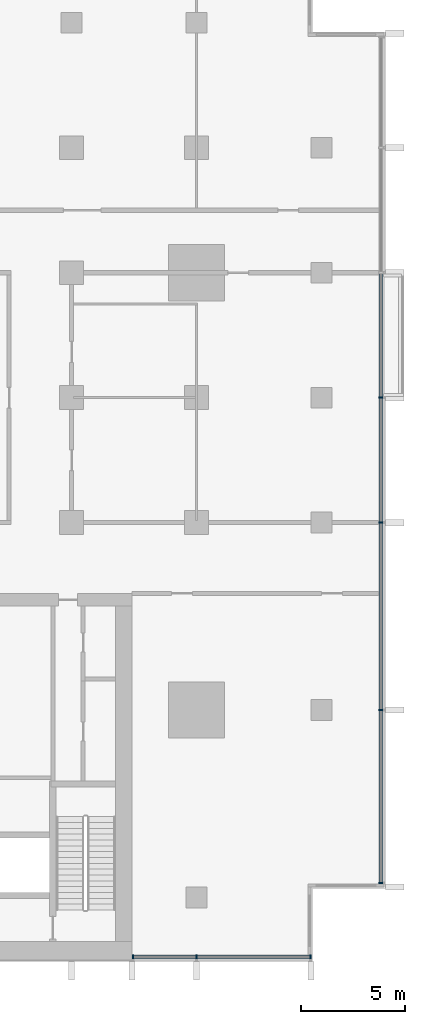
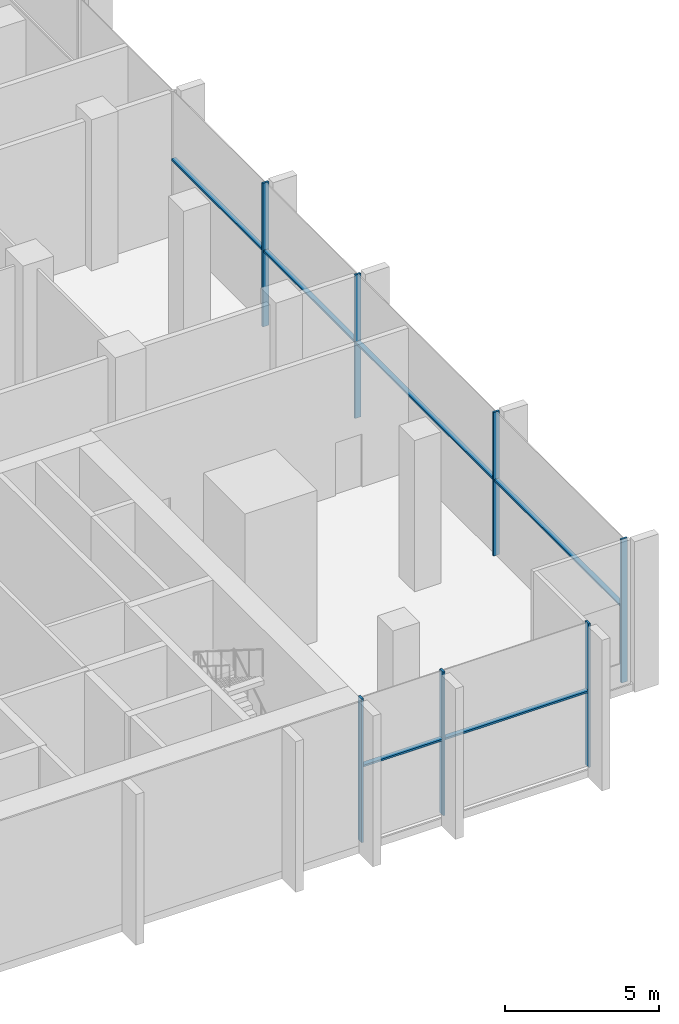
# One storey, part 3 of 16: 13 members, 2 elements without a shape of their own.
"""IFC4 building model written with IfcOpenShell, lengths in metres."""

import ifcopenshell
import ifcopenshell.guid

model = None  # the IFC model being written
_history = None  # IfcOwnerHistory: only IFC2X3 demands one
_inside = {}  # id of a spatial element -> (the spatial element, [elements in it])
_under = {}  # id of a project, library or spatial element -> (it, [spatial elements below it])
_declared = {}  # id of a project -> (the project, [libraries it declares])
_typed = {}  # id of a type object -> (the type object, [elements of that type])
_made_of = {}  # id of a material, layer set ... -> (it, [elements and type objects made of it])


def new_model(schema):
    """Start an empty IFC model of exactly this schema.

    Asked for "IFC4X3", IfcOpenShell would pick the latest addendum, in which some entities
    have other attributes; the version numbers below select the first issue.
    IFC2X3 requires an IfcOwnerHistory on every rooted entity: one is made here for all.
    """
    global model, _history
    if schema == "IFC4X3":
        model = ifcopenshell.file(schema_version=(4, 3, 0, 0))
    else:
        model = ifcopenshell.file(schema=schema)
    _inside.clear()
    _under.clear()
    _declared.clear()
    _typed.clear()
    _made_of.clear()
    _history = None
    if model.schema == "IFC2X3":
        org = make("IfcOrganization", Name="unknown")
        user = make(
            "IfcPersonAndOrganization",
            ThePerson=make("IfcPerson", FamilyName="unknown"),
            TheOrganization=org,
        )
        app = make(
            "IfcApplication",
            ApplicationDeveloper=org,
            Version="unknown",
            ApplicationFullName="unknown",
            ApplicationIdentifier="unknown",
        )
        _history = make(
            "IfcOwnerHistory",
            OwningUser=user,
            OwningApplication=app,
            ChangeAction="ADDED",
            CreationDate=0,
        )
    return model


def make(cls, **values):
    """One entity of the class cls with the attributes given. An attribute that is None is left unset."""
    return model.create_entity(
        cls, **{name: value for name, value in values.items() if value is not None}
    )


def rooted(cls, **values):
    """An entity with a GlobalId (a new one), such as an element, a storey or a relation."""
    return make(cls, GlobalId=ifcopenshell.guid.new(), OwnerHistory=_history, **values)


def si_unit(unit_type, name, prefix=None):
    """IfcSIUnit, for example si_unit("LENGTHUNIT", "METRE", prefix="MILLI")."""
    return make("IfcSIUnit", UnitType=unit_type, Prefix=prefix, Name=name)


def assignment(units):
    """IfcUnitAssignment: the units of a project."""
    return None if units is None else make("IfcUnitAssignment", Units=units)


def point(xyz):
    """IfcCartesianPoint."""
    return None if xyz is None else make("IfcCartesianPoint", Coordinates=xyz)


def direction(xyz):
    """IfcDirection."""
    return None if xyz is None else make("IfcDirection", DirectionRatios=xyz)


def frame(location, z_axis=None, x_axis=None):
    """IfcAxis2Placement3D, a coordinate frame: its origin and axes. An axis left out is left unset."""
    return make(
        "IfcAxis2Placement3D",
        Location=point(location),
        Axis=direction(z_axis),
        RefDirection=direction(x_axis),
    )


def frame_2d(location, x_axis=None):
    """IfcAxis2Placement2D, a coordinate frame in the plane: its origin and x axis."""
    return make(
        "IfcAxis2Placement2D", Location=point(location), RefDirection=direction(x_axis)
    )


def origin():
    """The frame at (0, 0, 0) with its axes left unset."""
    return frame((0.0, 0.0, 0.0))


def origin_2d():
    """The frame at (0, 0) in the plane with its x axis left unset."""
    return frame_2d((0.0, 0.0))


def place(relative_to, where):
    """IfcLocalPlacement: puts the frame where relative to a parent placement (None: the world)."""
    return make(
        "IfcLocalPlacement", PlacementRelTo=relative_to, RelativePlacement=where
    )


def context(
    kind, dimensions, precision=None, world=None, true_north=None, identifier=None
):
    """IfcGeometricRepresentationContext, for example the 3D "Model" context."""
    return make(
        "IfcGeometricRepresentationContext",
        ContextIdentifier=identifier,
        ContextType=kind,
        CoordinateSpaceDimension=dimensions,
        Precision=precision,
        WorldCoordinateSystem=world,
        TrueNorth=true_north,
    )


def subcontext(parent, identifier, kind, view, scale=None):
    """IfcGeometricRepresentationSubContext, for example "Body" below "Model"."""
    return make(
        "IfcGeometricRepresentationSubContext",
        ContextIdentifier=identifier,
        ContextType=kind,
        ParentContext=parent,
        TargetScale=scale,
        TargetView=view,
    )


def project(units=None, contexts=None):
    """IfcProject with its units and contexts."""
    return rooted(
        "IfcProject",
        Name="project",
        RepresentationContexts=contexts,
        UnitsInContext=assignment(units),
    )


def spatial(cls, under=None, at=None, **own):
    """A site, building, storey or space (cls), placed at a placement, below another one or the project."""
    s = rooted(cls, ObjectPlacement=at, **own)
    if under is not None:
        _under.setdefault(under.id(), (under, []))[1].append(s)
    return s


def profile(cls, at=None, kind="AREA", **sizes):
    """A parametric profile (cls). Its sizes go by their IFC names, for example OverallWidth=200.0."""
    return make(cls, ProfileType=kind, Position=at, **sizes)


def rectangle(**sizes):
    """IfcRectangleProfileDef."""
    return profile("IfcRectangleProfileDef", **sizes)


def extrude(swept, where, along, depth):
    """IfcExtrudedAreaSolid: the profile swept, set in the frame where, extruded along a direction by depth."""
    return make(
        "IfcExtrudedAreaSolid",
        SweptArea=swept,
        Position=where,
        ExtrudedDirection=direction(along),
        Depth=depth,
    )


def shape(context_of_items, identifier, shape_type, items):
    """IfcShapeRepresentation: the items that make up one representation, for example the "Body"."""
    return make(
        "IfcShapeRepresentation",
        ContextOfItems=context_of_items,
        RepresentationIdentifier=identifier,
        RepresentationType=shape_type,
        Items=items,
    )


def material(Name=None, Category=None):
    """IfcMaterial."""
    return make("IfcMaterial", Name=Name, Category=Category)


def material_profile(
    of_material, cross_section, Name=None, Category=None, Priority=None
):
    """IfcMaterialProfile: a cross section and its material."""
    return make(
        "IfcMaterialProfile",
        Name=Name,
        Material=of_material,
        Profile=cross_section,
        Priority=Priority,
        Category=Category,
    )


def profile_set(profiles, Name=None, composite=None):
    """IfcMaterialProfileSet."""
    return make(
        "IfcMaterialProfileSet",
        Name=Name,
        MaterialProfiles=profiles,
        CompositeProfile=composite,
    )


def made_of(thing, what):
    """Note that an element or type object is made of a material, layer set ...; save() writes the relation."""
    if what is not None:
        _made_of.setdefault(what.id(), (what, []))[1].append(thing)
    return thing


def type_object(cls, material=None, **own):
    """A type object (cls), such as IfcWallType, which elements share."""
    return made_of(rooted(cls, **own), material)


def element(
    cls,
    number,
    at=None,
    inside=None,
    cuts=None,
    type_object=None,
    material=None,
    context=None,
    identifier="Body",
    shape_type=None,
    held_by="IfcProductDefinitionShape",
    body=None,
    shapes=None,
    **own,
):
    """One element of the class cls, such as IfcWall. Its Tag is "e" and its number.

    at: its placement. inside: the storey or other place that contains it. cuts: it is an
    opening in that element (IfcRelVoidsElement). A single representation is given by context,
    identifier, shape_type and body (its items); several are given by shapes. held_by: the class
    of the entity that holds the representations. save() writes the other relations.
    """
    e = rooted(cls, Tag="e%d" % number, ObjectPlacement=at, **own)
    if body is not None:
        shapes = [shape(context, identifier, shape_type, body)]
    if shapes is not None:
        e.Representation = make(held_by, Representations=shapes)
    if inside is not None:
        _inside.setdefault(inside.id(), (inside, []))[1].append(e)
    if cuts is not None:
        rooted(
            "IfcRelVoidsElement", RelatingBuildingElement=cuts, RelatedOpeningElement=e
        )
    if type_object is not None:
        _typed.setdefault(type_object.id(), (type_object, []))[1].append(e)
    return made_of(e, material)


def aggregate(whole, parts):
    """IfcRelAggregates: a whole, such as a stair, and the parts it consists of."""
    return rooted("IfcRelAggregates", RelatingObject=whole, RelatedObjects=parts)


def save(model, path):
    """Write the relations noted so far, then the file.

    IfcRelAggregates (storeys below a building ...), IfcRelContainedInSpatialStructure (elements
    in a storey), IfcRelDefinesByType, IfcRelAssociatesMaterial and IfcRelDeclares: one each for
    every whole, place, type object, material and project.
    """
    for whole, parts in _under.values():
        aggregate(whole, parts)
    for where, things in _inside.values():
        rooted(
            "IfcRelContainedInSpatialStructure",
            RelatedElements=things,
            RelatingStructure=where,
        )
    for kind, things in _typed.values():
        rooted("IfcRelDefinesByType", RelatedObjects=things, RelatingType=kind)
    for what, things in _made_of.values():
        rooted("IfcRelAssociatesMaterial", RelatedObjects=things, RelatingMaterial=what)
    for by, libraries in _declared.values():
        rooted("IfcRelDeclares", RelatingContext=by, RelatedDefinitions=libraries)
    model.write(path)


model = new_model("IFC4")

# Units and contexts
model_context = context("Model", 3, precision=1e-05, world=origin(), true_north=direction((0.0, 1.0)))
body_context = subcontext(model_context, "Body", "Model", "MODEL_VIEW")
ifc_project = project(units=[si_unit("LENGTHUNIT", "METRE"), si_unit("AREAUNIT", "SQUARE_METRE"), si_unit("VOLUMEUNIT", "CUBIC_METRE"), si_unit("PLANEANGLEUNIT", "RADIAN"), si_unit("MASSUNIT", "GRAM", prefix="KILO")], contexts=[model_context])

# Site, building, storey
site_placement = place(None, origin())
site = spatial("IfcSite", under=ifc_project, at=site_placement, CompositionType="ELEMENT")
building_placement = place(site_placement, origin())
building = spatial("IfcBuilding", under=site, at=building_placement, Name="Finial Court Residences", CompositionType="ELEMENT")
storey_placement = place(building_placement, frame((0.0, 0.0, 127.89990234375)))
storey = spatial("IfcBuildingStorey", under=building, at=storey_placement, Name="L32", CompositionType="ELEMENT", Elevation=127.89990234375)

# Curtain wall, members
ifc_material = material(Name="Bronze anodised aluminium", Category="aluminium")
curtain_wall_type = type_object("IfcCurtainWallType", Name="Sky amenity glazing", PredefinedType="NOTDEFINED", material=ifc_material)
curtain_wall_1_placement = place(storey_placement, origin())
curtain_wall_1 = element("IfcCurtainWall", 1, at=curtain_wall_1_placement, inside=storey, type_object=curtain_wall_type, Name="E-L32-CW-E2", PredefinedType="NOTDEFINED")
ifc_material_profile_1 = material_profile(ifc_material, rectangle(XDim=0.22509765625, YDim=0.074951171875, at=origin_2d()), Name="CW3 mullion 75 x 225")
ifc_profile_set_1 = profile_set([ifc_material_profile_1], Name="Bronze anodised aluminium")
member_type_1 = type_object("IfcMemberType", Name="CW3 mullion 75 x 225", PredefinedType="MULLION", material=ifc_profile_set_1)
member_1_placement = place(storey_placement, frame((25.35009765625, -21.8125, 0.0), z_axis=(0.0, 0.0, 1.0), x_axis=(-1.0, 0.0, 0.0)))
member_1 = element("IfcMember", 2, at=member_1_placement, type_object=member_type_1, Name="CW3 mullion 1", PredefinedType="MULLION", context=body_context, shape_type="SweptSolid", body=[
    extrude(rectangle(XDim=0.22509765625, YDim=0.074951171875, at=origin_2d()), origin(), (0.0, 0.0, 1.0), 5.7001953125),
])
member_2_placement = place(storey_placement, frame((25.35009765625, -13.5, 0.0), z_axis=(0.0, 0.0, 1.0), x_axis=(-1.0, 0.0, 0.0)))
member_2 = element("IfcMember", 3, at=member_2_placement, type_object=member_type_1, Name="CW3 mullion 2", PredefinedType="MULLION", context=body_context, shape_type="SweptSolid", body=[
    extrude(rectangle(XDim=0.22509765625, YDim=0.074951171875, at=origin_2d()), origin(), (0.0, 0.0, 1.0), 5.7001953125),
])
member_3_placement = place(storey_placement, frame((25.35009765625, -4.5, 0.0), z_axis=(0.0, 0.0, 1.0), x_axis=(-1.0, 0.0, 0.0)))
member_3 = element("IfcMember", 4, at=member_3_placement, type_object=member_type_1, Name="CW3 mullion 3", PredefinedType="MULLION", context=body_context, shape_type="SweptSolid", body=[
    extrude(rectangle(XDim=0.22509765625, YDim=0.074951171875, at=origin_2d()), origin(), (0.0, 0.0, 1.0), 5.7001953125),
])
member_4_placement = place(storey_placement, frame((25.35009765625, 1.5, 0.0), z_axis=(0.0, 0.0, 1.0), x_axis=(-1.0, 0.0, 0.0)))
member_4 = element("IfcMember", 5, at=member_4_placement, type_object=member_type_1, Name="CW3 mullion 4", PredefinedType="MULLION", context=body_context, shape_type="SweptSolid", body=[
    extrude(rectangle(XDim=0.22509765625, YDim=0.074951171875, at=origin_2d()), origin(), (0.0, 0.0, 1.0), 5.7001953125),
])

curtain_wall_2_placement = place(storey_placement, origin())
curtain_wall_2 = element("IfcCurtainWall", 6, at=curtain_wall_2_placement, inside=storey, type_object=curtain_wall_type, Name="E-L32-CW-S4", PredefinedType="NOTDEFINED")
member_5_placement = place(storey_placement, frame((13.4375, -25.35009765625, 0.0), z_axis=(0.0, 0.0, 1.0), x_axis=(0.0, 1.0, 0.0)))
member_5 = element("IfcMember", 7, at=member_5_placement, type_object=member_type_1, Name="CW3 mullion 1", PredefinedType="MULLION", context=body_context, shape_type="SweptSolid", body=[
    extrude(rectangle(XDim=0.22509765625, YDim=0.074951171875, at=origin_2d()), origin(), (0.0, 0.0, 1.0), 5.7001953125),
])
member_6_placement = place(storey_placement, frame((16.5, -25.35009765625, 0.0), z_axis=(0.0, 0.0, 1.0), x_axis=(0.0, 1.0, 0.0)))
member_6 = element("IfcMember", 8, at=member_6_placement, type_object=member_type_1, Name="CW3 mullion 2", PredefinedType="MULLION", context=body_context, shape_type="SweptSolid", body=[
    extrude(rectangle(XDim=0.22509765625, YDim=0.074951171875, at=origin_2d()), origin(), (0.0, 0.0, 1.0), 5.7001953125),
])
member_7_placement = place(storey_placement, frame((21.96240234375, -25.35009765625, 0.0), z_axis=(0.0, 0.0, 1.0), x_axis=(0.0, 1.0, 0.0)))
member_7 = element("IfcMember", 9, at=member_7_placement, type_object=member_type_1, Name="CW3 mullion 3", PredefinedType="MULLION", context=body_context, shape_type="SweptSolid", body=[
    extrude(rectangle(XDim=0.22509765625, YDim=0.074951171875, at=origin_2d()), origin(), (0.0, 0.0, 1.0), 5.7001953125),
])

# Member
ifc_material_profile_2 = material_profile(ifc_material, rectangle(XDim=0.175048828125, YDim=0.074951171875, at=origin_2d()), Name="CW3 transom 75 x 175")
ifc_profile_set_2 = profile_set([ifc_material_profile_2], Name="Bronze anodised aluminium")
member_type_2 = type_object("IfcMemberType", Name="CW3 transom 75 x 175", PredefinedType="USERDEFINED", material=ifc_profile_set_2)
member_8_placement = place(storey_placement, frame((25.35009765625, -21.77490234375, 3.0), z_axis=(0.0, 1.0, 0.0), x_axis=(-1.0, 0.0, 0.0)))
member_8 = element("IfcMember", 10, at=member_8_placement, type_object=member_type_2, Name="CW3 transom 1.1", ObjectType="TRANSOM", PredefinedType="USERDEFINED", context=body_context, shape_type="SweptSolid", body=[
    extrude(rectangle(XDim=0.175048828125, YDim=0.074951171875, at=origin_2d()), origin(), (0.0, 0.0, 1.0), 8.2373046875),
])

member_9_placement = place(storey_placement, frame((25.35009765625, -13.46240234375, 3.0), z_axis=(0.0, 1.0, 0.0), x_axis=(-1.0, 0.0, 0.0)))
member_9 = element("IfcMember", 11, at=member_9_placement, type_object=member_type_2, Name="CW3 transom 2.1", ObjectType="TRANSOM", PredefinedType="USERDEFINED", context=body_context, shape_type="SweptSolid", body=[
    extrude(rectangle(XDim=0.175048828125, YDim=0.074951171875, at=origin_2d()), origin(), (0.0, 0.0, 1.0), 8.9248046875),
])

member_10_placement = place(storey_placement, frame((25.35009765625, -4.46240234375, 3.0), z_axis=(0.0, 1.0, 0.0), x_axis=(-1.0, 0.0, 0.0)))
member_10 = element("IfcMember", 12, at=member_10_placement, type_object=member_type_2, Name="CW3 transom 3.1", ObjectType="TRANSOM", PredefinedType="USERDEFINED", context=body_context, shape_type="SweptSolid", body=[
    extrude(rectangle(XDim=0.175048828125, YDim=0.074951171875, at=origin_2d()), origin(), (0.0, 0.0, 1.0), 5.9248046875),
])

member_11_placement = place(storey_placement, frame((25.35009765625, 1.53759765625, 3.0), z_axis=(0.0, 1.0, 0.0), x_axis=(-1.0, 0.0, 0.0)))
member_11 = element("IfcMember", 13, at=member_11_placement, type_object=member_type_2, Name="CW3 transom 4.1", ObjectType="TRANSOM", PredefinedType="USERDEFINED", context=body_context, shape_type="SweptSolid", body=[
    extrude(rectangle(XDim=0.175048828125, YDim=0.074951171875, at=origin_2d()), origin(), (0.0, 0.0, 1.0), 5.9248046875),
])

aggregate(curtain_wall_1, [member_1, member_2, member_3, member_4, member_8, member_9, member_10, member_11])

member_12_placement = place(storey_placement, frame((13.47509765625, -25.35009765625, 3.0), z_axis=(1.0, 0.0, 0.0), x_axis=(0.0, 1.0, 0.0)))
member_12 = element("IfcMember", 14, at=member_12_placement, type_object=member_type_2, Name="CW3 transom 1.1", ObjectType="TRANSOM", PredefinedType="USERDEFINED", context=body_context, shape_type="SweptSolid", body=[
    extrude(rectangle(XDim=0.175048828125, YDim=0.074951171875, at=origin_2d()), origin(), (0.0, 0.0, 1.0), 2.9873046875),
])

member_13_placement = place(storey_placement, frame((16.53759765625, -25.35009765625, 3.0), z_axis=(1.0, 0.0, 0.0), x_axis=(0.0, 1.0, 0.0)))
member_13 = element("IfcMember", 15, at=member_13_placement, type_object=member_type_2, Name="CW3 transom 2.1", ObjectType="TRANSOM", PredefinedType="USERDEFINED", context=body_context, shape_type="SweptSolid", body=[
    extrude(rectangle(XDim=0.175048828125, YDim=0.074951171875, at=origin_2d()), origin(), (0.0, 0.0, 1.0), 5.387451171875),
])

aggregate(curtain_wall_2, [member_5, member_6, member_7, member_12, member_13])

save(model, "model.ifc")
